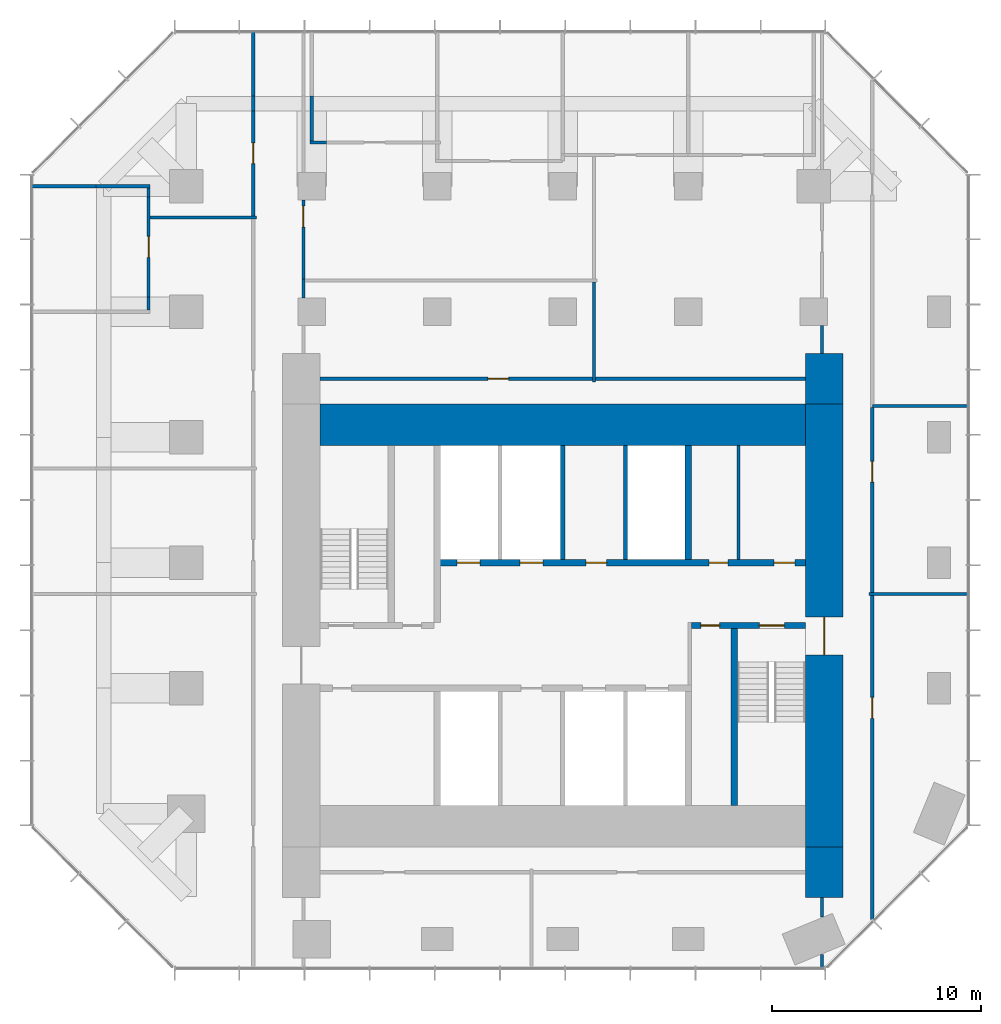
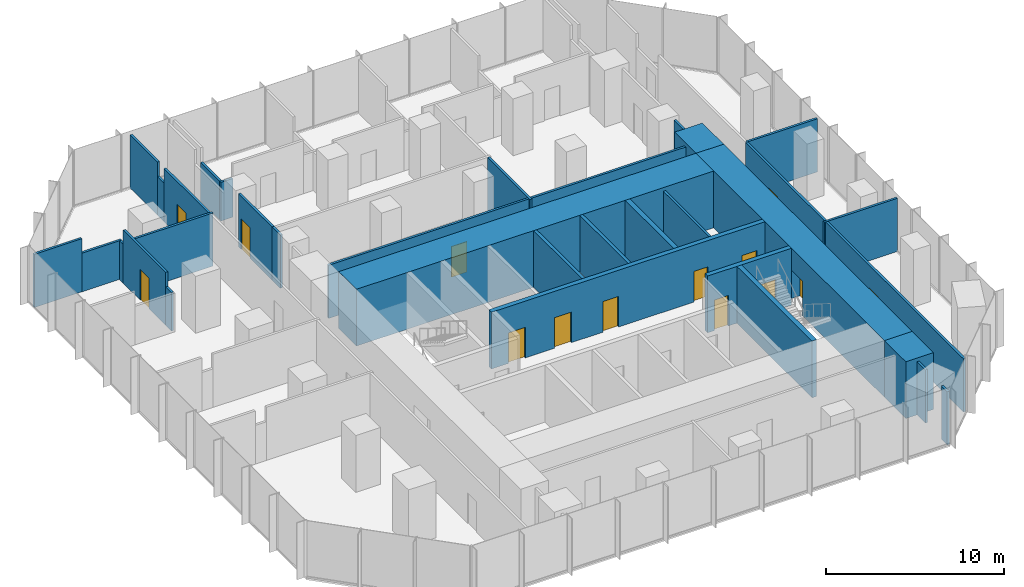
# One storey, part 9 of 11: 34 walls, 14 doors, 14 openings.
"""IFC4 building model written with IfcOpenShell, lengths in metres."""

import ifcopenshell
import ifcopenshell.guid

model = None  # the IFC model being written
_history = None  # IfcOwnerHistory: only IFC2X3 demands one
_inside = {}  # id of a spatial element -> (the spatial element, [elements in it])
_under = {}  # id of a project, library or spatial element -> (it, [spatial elements below it])
_declared = {}  # id of a project -> (the project, [libraries it declares])
_typed = {}  # id of a type object -> (the type object, [elements of that type])
_made_of = {}  # id of a material, layer set ... -> (it, [elements and type objects made of it])


def new_model(schema):
    """Start an empty IFC model of exactly this schema.

    Asked for "IFC4X3", IfcOpenShell would pick the latest addendum, in which some entities
    have other attributes; the version numbers below select the first issue.
    IFC2X3 requires an IfcOwnerHistory on every rooted entity: one is made here for all.
    """
    global model, _history
    if schema == "IFC4X3":
        model = ifcopenshell.file(schema_version=(4, 3, 0, 0))
    else:
        model = ifcopenshell.file(schema=schema)
    _inside.clear()
    _under.clear()
    _declared.clear()
    _typed.clear()
    _made_of.clear()
    _history = None
    if model.schema == "IFC2X3":
        org = make("IfcOrganization", Name="unknown")
        user = make(
            "IfcPersonAndOrganization",
            ThePerson=make("IfcPerson", FamilyName="unknown"),
            TheOrganization=org,
        )
        app = make(
            "IfcApplication",
            ApplicationDeveloper=org,
            Version="unknown",
            ApplicationFullName="unknown",
            ApplicationIdentifier="unknown",
        )
        _history = make(
            "IfcOwnerHistory",
            OwningUser=user,
            OwningApplication=app,
            ChangeAction="ADDED",
            CreationDate=0,
        )
    return model


def make(cls, **values):
    """One entity of the class cls with the attributes given. An attribute that is None is left unset."""
    return model.create_entity(
        cls, **{name: value for name, value in values.items() if value is not None}
    )


def rooted(cls, **values):
    """An entity with a GlobalId (a new one), such as an element, a storey or a relation."""
    return make(cls, GlobalId=ifcopenshell.guid.new(), OwnerHistory=_history, **values)


def si_unit(unit_type, name, prefix=None):
    """IfcSIUnit, for example si_unit("LENGTHUNIT", "METRE", prefix="MILLI")."""
    return make("IfcSIUnit", UnitType=unit_type, Prefix=prefix, Name=name)


def assignment(units):
    """IfcUnitAssignment: the units of a project."""
    return None if units is None else make("IfcUnitAssignment", Units=units)


def point(xyz):
    """IfcCartesianPoint."""
    return None if xyz is None else make("IfcCartesianPoint", Coordinates=xyz)


def direction(xyz):
    """IfcDirection."""
    return None if xyz is None else make("IfcDirection", DirectionRatios=xyz)


def frame(location, z_axis=None, x_axis=None):
    """IfcAxis2Placement3D, a coordinate frame: its origin and axes. An axis left out is left unset."""
    return make(
        "IfcAxis2Placement3D",
        Location=point(location),
        Axis=direction(z_axis),
        RefDirection=direction(x_axis),
    )


def frame_2d(location, x_axis=None):
    """IfcAxis2Placement2D, a coordinate frame in the plane: its origin and x axis."""
    return make(
        "IfcAxis2Placement2D", Location=point(location), RefDirection=direction(x_axis)
    )


def origin():
    """The frame at (0, 0, 0) with its axes left unset."""
    return frame((0.0, 0.0, 0.0))


def place(relative_to, where):
    """IfcLocalPlacement: puts the frame where relative to a parent placement (None: the world)."""
    return make(
        "IfcLocalPlacement", PlacementRelTo=relative_to, RelativePlacement=where
    )


def context(
    kind, dimensions, precision=None, world=None, true_north=None, identifier=None
):
    """IfcGeometricRepresentationContext, for example the 3D "Model" context."""
    return make(
        "IfcGeometricRepresentationContext",
        ContextIdentifier=identifier,
        ContextType=kind,
        CoordinateSpaceDimension=dimensions,
        Precision=precision,
        WorldCoordinateSystem=world,
        TrueNorth=true_north,
    )


def subcontext(parent, identifier, kind, view, scale=None):
    """IfcGeometricRepresentationSubContext, for example "Body" below "Model"."""
    return make(
        "IfcGeometricRepresentationSubContext",
        ContextIdentifier=identifier,
        ContextType=kind,
        ParentContext=parent,
        TargetScale=scale,
        TargetView=view,
    )


def project(units=None, contexts=None):
    """IfcProject with its units and contexts."""
    return rooted(
        "IfcProject",
        Name="project",
        RepresentationContexts=contexts,
        UnitsInContext=assignment(units),
    )


def spatial(cls, under=None, at=None, **own):
    """A site, building, storey or space (cls), placed at a placement, below another one or the project."""
    s = rooted(cls, ObjectPlacement=at, **own)
    if under is not None:
        _under.setdefault(under.id(), (under, []))[1].append(s)
    return s


def profile(cls, at=None, kind="AREA", **sizes):
    """A parametric profile (cls). Its sizes go by their IFC names, for example OverallWidth=200.0."""
    return make(cls, ProfileType=kind, Position=at, **sizes)


def rectangle(**sizes):
    """IfcRectangleProfileDef."""
    return profile("IfcRectangleProfileDef", **sizes)


def extrude(swept, where, along, depth):
    """IfcExtrudedAreaSolid: the profile swept, set in the frame where, extruded along a direction by depth."""
    return make(
        "IfcExtrudedAreaSolid",
        SweptArea=swept,
        Position=where,
        ExtrudedDirection=direction(along),
        Depth=depth,
    )


def shape(context_of_items, identifier, shape_type, items):
    """IfcShapeRepresentation: the items that make up one representation, for example the "Body"."""
    return make(
        "IfcShapeRepresentation",
        ContextOfItems=context_of_items,
        RepresentationIdentifier=identifier,
        RepresentationType=shape_type,
        Items=items,
    )


def material(Name=None, Category=None):
    """IfcMaterial."""
    return make("IfcMaterial", Name=Name, Category=Category)


def layer(
    of_material, thickness, ventilated=None, Name=None, Category=None, Priority=None
):
    """IfcMaterialLayer: one layer of a wall or slab, of a material (None: an air gap)."""
    return make(
        "IfcMaterialLayer",
        Material=of_material,
        LayerThickness=thickness,
        IsVentilated=ventilated,
        Name=Name,
        Category=Category,
        Priority=Priority,
    )


def layer_set(layers, Name=None):
    """IfcMaterialLayerSet."""
    return make("IfcMaterialLayerSet", MaterialLayers=layers, LayerSetName=Name)


def made_of(thing, what):
    """Note that an element or type object is made of a material, layer set ...; save() writes the relation."""
    if what is not None:
        _made_of.setdefault(what.id(), (what, []))[1].append(thing)
    return thing


def type_object(cls, material=None, **own):
    """A type object (cls), such as IfcWallType, which elements share."""
    return made_of(rooted(cls, **own), material)


def element(
    cls,
    number,
    at=None,
    inside=None,
    cuts=None,
    type_object=None,
    material=None,
    context=None,
    identifier="Body",
    shape_type=None,
    held_by="IfcProductDefinitionShape",
    body=None,
    shapes=None,
    **own,
):
    """One element of the class cls, such as IfcWall. Its Tag is "e" and its number.

    at: its placement. inside: the storey or other place that contains it. cuts: it is an
    opening in that element (IfcRelVoidsElement). A single representation is given by context,
    identifier, shape_type and body (its items); several are given by shapes. held_by: the class
    of the entity that holds the representations. save() writes the other relations.
    """
    e = rooted(cls, Tag="e%d" % number, ObjectPlacement=at, **own)
    if body is not None:
        shapes = [shape(context, identifier, shape_type, body)]
    if shapes is not None:
        e.Representation = make(held_by, Representations=shapes)
    if inside is not None:
        _inside.setdefault(inside.id(), (inside, []))[1].append(e)
    if cuts is not None:
        rooted(
            "IfcRelVoidsElement", RelatingBuildingElement=cuts, RelatedOpeningElement=e
        )
    if type_object is not None:
        _typed.setdefault(type_object.id(), (type_object, []))[1].append(e)
    return made_of(e, material)


def fill(opening, filler):
    """IfcRelFillsElement: the door or window that sits in an opening."""
    return rooted(
        "IfcRelFillsElement",
        RelatingOpeningElement=opening,
        RelatedBuildingElement=filler,
    )


def aggregate(whole, parts):
    """IfcRelAggregates: a whole, such as a stair, and the parts it consists of."""
    return rooted("IfcRelAggregates", RelatingObject=whole, RelatedObjects=parts)


def save(model, path):
    """Write the relations noted so far, then the file.

    IfcRelAggregates (storeys below a building ...), IfcRelContainedInSpatialStructure (elements
    in a storey), IfcRelDefinesByType, IfcRelAssociatesMaterial and IfcRelDeclares: one each for
    every whole, place, type object, material and project.
    """
    for whole, parts in _under.values():
        aggregate(whole, parts)
    for where, things in _inside.values():
        rooted(
            "IfcRelContainedInSpatialStructure",
            RelatedElements=things,
            RelatingStructure=where,
        )
    for kind, things in _typed.values():
        rooted("IfcRelDefinesByType", RelatedObjects=things, RelatingType=kind)
    for what, things in _made_of.values():
        rooted("IfcRelAssociatesMaterial", RelatedObjects=things, RelatingMaterial=what)
    for by, libraries in _declared.values():
        rooted("IfcRelDeclares", RelatingContext=by, RelatedDefinitions=libraries)
    model.write(path)


model = new_model("IFC4")

# Units and contexts
model_context = context("Model", 3, precision=1e-05, world=origin(), true_north=direction((0.0, 1.0)))
body_context = subcontext(model_context, "Body", "Model", "MODEL_VIEW")
ifc_project = project(units=[si_unit("LENGTHUNIT", "METRE"), si_unit("AREAUNIT", "SQUARE_METRE"), si_unit("VOLUMEUNIT", "CUBIC_METRE"), si_unit("PLANEANGLEUNIT", "RADIAN"), si_unit("MASSUNIT", "GRAM", prefix="KILO")], contexts=[model_context])

# Site, building, storey
site_placement = place(None, origin())
site = spatial("IfcSite", under=ifc_project, at=site_placement, CompositionType="ELEMENT")
building_placement = place(site_placement, origin())
building = spatial("IfcBuilding", under=site, at=building_placement, Name="Highveld Stack Headquarters", CompositionType="ELEMENT")
storey_placement = place(building_placement, frame((0.0, 0.0, 192.800048828125)))
storey = spatial("IfcBuildingStorey", under=building, at=storey_placement, Name="L47", CompositionType="ELEMENT", Elevation=192.800048828125)

# Wall, opening, door
ifc_material_1 = material(Name="Concrete C60/75", Category="concrete")
ifc_layer_1 = layer(ifc_material_1, 1.800048828125)
ifc_layer_set_1 = layer_set([ifc_layer_1], Name="Concrete C60/75")
wall_type_1 = type_object("IfcWallType", Name="CORE WALL 1800 C60/75", PredefinedType="SHEAR", material=ifc_layer_set_1)
wall_1_placement = place(storey_placement, frame((18.5, -7.60009765625, 0.0), z_axis=(0.0, 0.0, 1.0), x_axis=(0.0, 1.0, 0.0)))
wall_1 = element("IfcWall", 1, at=wall_1_placement, inside=storey, type_object=wall_type_1, Name="Core wall E L47", PredefinedType="SHEAR", context=body_context, shape_type="SweptSolid", body=[
    extrude(rectangle(XDim=21.2001953125, YDim=1.800048828125, at=frame_2d((10.60009765625, 0.0))), origin(), (0.0, 0.0, 1.0), 3.89990234375),
])
opening_1_placement = place(wall_1_placement, frame((9.199951171875, 0.0, 0.0)))
opening_1 = element("IfcOpeningElement", 2, at=opening_1_placement, cuts=wall_1, Name="Opening L47-02", PredefinedType="OPENING", context=body_context, shape_type="SweptSolid", body=[
    extrude(rectangle(XDim=1.800048828125, YDim=2.39990234375, at=frame_2d((0.89990234375, 1.199951171875))), frame((0.0, 0.909912109375, 0.0), z_axis=(0.0, -1.0, 0.0), x_axis=(1.0, 0.0, 0.0)), (0.0, 0.0, 1.0), 1.820068359375),
])
ifc_material_2 = material(Name="Steel fire door", Category="steel")
door_type_1 = type_object("IfcDoorType", Name="LOBBY FIRE DOOR D4 1800x2400", OperationType="DOUBLE_DOOR_SINGLE_SWING", PredefinedType="DOOR", material=ifc_material_2)
door_1_placement = place(opening_1_placement, origin())
door_1 = element("IfcDoor", 3, at=door_1_placement, inside=storey, type_object=door_type_1, Name="Core east door L47", OperationType="DOUBLE_DOOR_SINGLE_SWING", OverallHeight=2.39990234375, OverallWidth=1.800048828125, PredefinedType="DOOR", context=body_context, shape_type="SweptSolid", body=[
    extrude(rectangle(XDim=1.800048828125, YDim=2.39990234375, at=frame_2d((0.89990234375, 1.199951171875))), frame((0.0, 0.02490234375, 0.0), z_axis=(0.0, -1.0, 0.0), x_axis=(1.0, 0.0, 0.0)), (0.0, 0.0, 1.0), 0.050048828125),
])
fill(opening_1, door_1)

# Wall
ifc_material_3 = material(Name="Concrete C60/75", Category="concrete")
ifc_layer_2 = layer(ifc_material_3, 2.0)
ifc_layer_set_2 = layer_set([ifc_layer_2], Name="Concrete C60/75")
wall_type_2 = type_object("IfcWallType", Name="CORE WALL 2000 C60/75", PredefinedType="SHEAR", material=ifc_layer_set_2)
wall_2_placement = place(storey_placement, frame((-5.60009765625, 12.60009765625, 0.0), z_axis=(0.0, 0.0, 1.0), x_axis=(1.0, 0.0, 0.0)))
element("IfcWall", 4, at=wall_2_placement, inside=storey, type_object=wall_type_2, Name="Core wall N L47", PredefinedType="SHEAR", context=body_context, shape_type="SweptSolid", body=[
    extrude(rectangle(XDim=23.2001953125, YDim=2.0, at=frame_2d((11.60009765625, 0.0))), origin(), (0.0, 0.0, 1.0), 3.89990234375),
])

# Wall, openings, doors
ifc_material_4 = material(Name="Concrete C60/75", Category="concrete")
ifc_layer_3 = layer(ifc_material_4, 0.300048828125)
ifc_layer_set_3 = layer_set([ifc_layer_3], Name="Concrete C60/75")
wall_type_3 = type_object("IfcWallType", Name="CORE WALL 300 C60/75", PredefinedType="SHEAR", material=ifc_layer_set_3)
wall_3_placement = place(storey_placement, frame((12.14990234375, 3.0, 0.0), z_axis=(0.0, 0.0, 1.0), x_axis=(1.0, 0.0, 0.0)))
wall_3 = element("IfcWall", 5, at=wall_3_placement, inside=storey, type_object=wall_type_3, Name="Core wall I-Y3E L47", PredefinedType="SHEAR", context=body_context, shape_type="SweptSolid", body=[
    extrude(rectangle(XDim=5.4501953125, YDim=0.300048828125, at=frame_2d((2.72509765625, 0.0))), origin(), (0.0, 0.0, 1.0), 3.89990234375),
])
opening_2_placement = place(wall_3_placement, frame((3.25, 0.0, 0.0)))
opening_2 = element("IfcOpeningElement", 6, at=opening_2_placement, cuts=wall_3, Name="Opening L47-05", PredefinedType="OPENING", context=body_context, shape_type="SweptSolid", body=[
    extrude(rectangle(XDim=1.199951171875, YDim=2.10009765625, at=frame_2d((0.60009765625, 1.050048828125))), frame((0.0, 0.159912109375, 0.0), z_axis=(0.0, -1.0, 0.0), x_axis=(1.0, 0.0, 0.0)), (0.0, 0.0, 1.0), 0.320068359375),
])
opening_3_placement = place(wall_3_placement, frame((0.449951171875, 0.0, 0.0)))
opening_3 = element("IfcOpeningElement", 7, at=opening_3_placement, cuts=wall_3, Name="Opening L47-06", PredefinedType="OPENING", context=body_context, shape_type="SweptSolid", body=[
    extrude(rectangle(XDim=0.89990234375, YDim=2.10009765625, at=frame_2d((0.449951171875, 1.050048828125))), frame((0.0, 0.159912109375, 0.0), z_axis=(0.0, -1.0, 0.0), x_axis=(1.0, 0.0, 0.0)), (0.0, 0.0, 1.0), 0.320068359375),
])
ifc_material_5 = material(Name="Steel fire door", Category="steel")
door_type_2 = type_object("IfcDoorType", Name="RISER ACCESS DOOR D5 900x2100", OperationType="SINGLE_SWING_LEFT", PredefinedType="DOOR", material=ifc_material_5)
door_2_placement = place(opening_3_placement, origin())
door_2 = element("IfcDoor", 8, at=door_2_placement, inside=storey, type_object=door_type_2, Name="Riser R2 door L47", OperationType="SINGLE_SWING_LEFT", OverallHeight=2.10009765625, OverallWidth=0.89990234375, PredefinedType="DOOR", context=body_context, shape_type="SweptSolid", body=[
    extrude(rectangle(XDim=0.89990234375, YDim=2.10009765625, at=frame_2d((0.449951171875, 1.050048828125))), frame((0.0, 0.02490234375, 0.0), z_axis=(0.0, -1.0, 0.0), x_axis=(1.0, 0.0, 0.0)), (0.0, 0.0, 1.0), 0.050048828125),
])
fill(opening_3, door_2)
ifc_material_6 = material(Name="Steel fire door", Category="steel")
door_type_3 = type_object("IfcDoorType", Name="STAIR FIRE DOOR D3 1200x2100", OperationType="SINGLE_SWING_LEFT", PredefinedType="DOOR", material=ifc_material_6)
door_3_placement = place(opening_2_placement, origin())
door_3 = element("IfcDoor", 9, at=door_3_placement, inside=storey, type_object=door_type_3, Name="Stair S2 door L47", OperationType="SINGLE_SWING_RIGHT", OverallHeight=2.10009765625, OverallWidth=1.199951171875, PredefinedType="DOOR", context=body_context, shape_type="SweptSolid", body=[
    extrude(rectangle(XDim=1.199951171875, YDim=2.10009765625, at=frame_2d((0.60009765625, 1.050048828125))), frame((0.0, 0.02490234375, 0.0), z_axis=(0.0, -1.0, 0.0), x_axis=(1.0, 0.0, 0.0)), (0.0, 0.0, 1.0), 0.050048828125),
])
fill(opening_2, door_3)

wall_4_placement = place(storey_placement, frame((-0.14990234375, 6.0, 0.0), z_axis=(0.0, 0.0, 1.0), x_axis=(1.0, 0.0, 0.0)))
wall_4 = element("IfcWall", 10, at=wall_4_placement, inside=storey, type_object=wall_type_3, Name="Core wall I-Y6 L47", PredefinedType="SHEAR", context=body_context, shape_type="SweptSolid", body=[
    extrude(rectangle(XDim=17.75, YDim=0.300048828125, at=frame_2d((8.875, 0.0))), origin(), (0.0, 0.0, 1.0), 3.89990234375),
])
opening_4_placement = place(wall_4_placement, frame((13.14990234375, 0.0, 0.0)))
opening_4 = element("IfcOpeningElement", 11, at=opening_4_placement, cuts=wall_4, Name="Opening L47-08", PredefinedType="OPENING", context=body_context, shape_type="SweptSolid", body=[
    extrude(rectangle(XDim=0.89990234375, YDim=2.10009765625, at=frame_2d((0.449951171875, 1.050048828125))), frame((0.0, 0.159912109375, 0.0), z_axis=(0.0, -1.0, 0.0), x_axis=(1.0, 0.0, 0.0)), (0.0, 0.0, 1.0), 0.320068359375),
])
opening_5_placement = place(wall_4_placement, frame((16.25, 0.0, 0.0)))
opening_5 = element("IfcOpeningElement", 12, at=opening_5_placement, cuts=wall_4, Name="Opening L47-09", PredefinedType="OPENING", context=body_context, shape_type="SweptSolid", body=[
    extrude(rectangle(XDim=1.0, YDim=2.10009765625, at=frame_2d((0.5, 1.050048828125))), frame((0.0, 0.159912109375, 0.0), z_axis=(0.0, -1.0, 0.0), x_axis=(1.0, 0.0, 0.0)), (0.0, 0.0, 1.0), 0.320068359375),
])
opening_6_placement = place(wall_4_placement, frame((7.25, 0.0, 0.0)))
opening_6 = element("IfcOpeningElement", 13, at=opening_6_placement, cuts=wall_4, Name="Opening L47-10", PredefinedType="OPENING", context=body_context, shape_type="SweptSolid", body=[
    extrude(rectangle(XDim=1.0, YDim=2.10009765625, at=frame_2d((0.5, 1.050048828125))), frame((0.0, 0.159912109375, 0.0), z_axis=(0.0, -1.0, 0.0), x_axis=(1.0, 0.0, 0.0)), (0.0, 0.0, 1.0), 0.320068359375),
])
opening_7_placement = place(wall_4_placement, frame((1.10009765625, 0.0, 0.0)))
opening_7 = element("IfcOpeningElement", 14, at=opening_7_placement, cuts=wall_4, Name="Opening LD", PredefinedType="OPENING", context=body_context, shape_type="SweptSolid", body=[
    extrude(rectangle(XDim=1.10009765625, YDim=2.10009765625, at=frame_2d((0.550048828125, 1.050048828125))), frame((0.0, 0.159912109375, 0.0), z_axis=(0.0, -1.0, 0.0), x_axis=(1.0, 0.0, 0.0)), (0.0, 0.0, 1.0), 0.320068359375),
])
opening_8_placement = place(wall_4_placement, frame((4.10009765625, 0.0, 0.0)))
opening_8 = element("IfcOpeningElement", 15, at=opening_8_placement, cuts=wall_4, Name="Opening LD", PredefinedType="OPENING", context=body_context, shape_type="SweptSolid", body=[
    extrude(rectangle(XDim=1.10009765625, YDim=2.10009765625, at=frame_2d((0.550048828125, 1.050048828125))), frame((0.0, 0.159912109375, 0.0), z_axis=(0.0, -1.0, 0.0), x_axis=(1.0, 0.0, 0.0)), (0.0, 0.0, 1.0), 0.320068359375),
])
ifc_material_7 = material(Name="Timber door, painted", Category="wood")
door_type_4 = type_object("IfcDoorType", Name="ACCESSIBLE WC DOOR D2 1000x2100", OperationType="SINGLE_SWING_RIGHT", PredefinedType="DOOR", material=ifc_material_7)
door_4_placement = place(opening_5_placement, origin())
door_4 = element("IfcDoor", 16, at=door_4_placement, inside=storey, type_object=door_type_4, Name="Accessible WC door L47", OperationType="SINGLE_SWING_RIGHT", OverallHeight=2.10009765625, OverallWidth=1.0, PredefinedType="DOOR", context=body_context, shape_type="SweptSolid", body=[
    extrude(rectangle(XDim=1.0, YDim=2.10009765625, at=frame_2d((0.5, 1.050048828125))), frame((0.0, 0.02490234375, 0.0), z_axis=(0.0, -1.0, 0.0), x_axis=(1.0, 0.0, 0.0)), (0.0, 0.0, 1.0), 0.050048828125),
])
fill(opening_5, door_4)
ifc_material_8 = material(Name="Steel fire door", Category="steel")
door_type_5 = type_object("IfcDoorType", Name="CORE ROOM FIRE DOOR D14 1000x2100", OperationType="SINGLE_SWING_LEFT", PredefinedType="DOOR", material=ifc_material_8)
door_5_placement = place(opening_6_placement, origin())
door_5 = element("IfcDoor", 17, at=door_5_placement, inside=storey, type_object=door_type_5, Name="Capped A 1 door L47", OperationType="SINGLE_SWING_LEFT", OverallHeight=2.10009765625, OverallWidth=1.0, PredefinedType="DOOR", context=body_context, shape_type="SweptSolid", body=[
    extrude(rectangle(XDim=1.0, YDim=2.10009765625, at=frame_2d((0.5, 1.050048828125))), frame((0.0, 0.02490234375, 0.0), z_axis=(0.0, -1.0, 0.0), x_axis=(1.0, 0.0, 0.0)), (0.0, 0.0, 1.0), 0.050048828125),
])
fill(opening_6, door_5)
ifc_material_9 = material(Name="Stainless steel lift landing door", Category="steel")
door_type_6 = type_object("IfcDoorType", Name="LIFT LANDING DOOR LD 1100x2100", OperationType="DOUBLE_DOOR_SLIDING", PredefinedType="USERDEFINED", material=ifc_material_9)
door_6_placement = place(opening_7_placement, origin())
door_6 = element("IfcDoor", 18, at=door_6_placement, inside=storey, type_object=door_type_6, Name="Lift landing door FF1 L47", ObjectType="LIFT LANDING DOOR", OperationType="DOUBLE_DOOR_SLIDING", OverallHeight=2.10009765625, OverallWidth=1.10009765625, PredefinedType="USERDEFINED", context=body_context, shape_type="SweptSolid", body=[
    extrude(rectangle(XDim=1.10009765625, YDim=2.10009765625, at=frame_2d((0.550048828125, 1.050048828125))), frame((0.0, 0.02490234375, 0.0), z_axis=(0.0, -1.0, 0.0), x_axis=(1.0, 0.0, 0.0)), (0.0, 0.0, 1.0), 0.050048828125),
])
fill(opening_7, door_6)
door_7_placement = place(opening_8_placement, origin())
door_7 = element("IfcDoor", 19, at=door_7_placement, inside=storey, type_object=door_type_6, Name="Lift landing door FF2 L47", ObjectType="LIFT LANDING DOOR", OperationType="DOUBLE_DOOR_SLIDING", OverallHeight=2.10009765625, OverallWidth=1.10009765625, PredefinedType="USERDEFINED", context=body_context, shape_type="SweptSolid", body=[
    extrude(rectangle(XDim=1.10009765625, YDim=2.10009765625, at=frame_2d((0.550048828125, 1.050048828125))), frame((0.0, 0.02490234375, 0.0), z_axis=(0.0, -1.0, 0.0), x_axis=(1.0, 0.0, 0.0)), (0.0, 0.0, 1.0), 0.050048828125),
])
fill(opening_8, door_7)
ifc_material_10 = material(Name="Timber door, painted", Category="wood")
door_type_7 = type_object("IfcDoorType", Name="WC DOOR D1 900x2100", OperationType="SINGLE_SWING_LEFT", PredefinedType="DOOR", material=ifc_material_10)
door_8_placement = place(opening_4_placement, origin())
door_8 = element("IfcDoor", 20, at=door_8_placement, inside=storey, type_object=door_type_7, Name="Male WC door L47", OperationType="SINGLE_SWING_RIGHT", OverallHeight=2.10009765625, OverallWidth=0.89990234375, PredefinedType="DOOR", context=body_context, shape_type="SweptSolid", body=[
    extrude(rectangle(XDim=0.89990234375, YDim=2.10009765625, at=frame_2d((0.449951171875, 1.050048828125))), frame((0.0, 0.02490234375, 0.0), z_axis=(0.0, -1.0, 0.0), x_axis=(1.0, 0.0, 0.0)), (0.0, 0.0, 1.0), 0.050048828125),
])
fill(opening_4, door_8)

# Walls
wall_5_placement = place(storey_placement, frame((12.0, 6.14990234375, 0.0), z_axis=(0.0, 0.0, 1.0), x_axis=(0.0, 1.0, 0.0)))
element("IfcWall", 21, at=wall_5_placement, inside=storey, type_object=wall_type_3, Name="Core wall I-X12N L47", PredefinedType="SHEAR", context=body_context, shape_type="SweptSolid", body=[
    extrude(rectangle(XDim=5.4501953125, YDim=0.300048828125, at=frame_2d((2.72509765625, 0.0))), origin(), (0.0, 0.0, 1.0), 3.89990234375),
])
wall_6_placement = place(storey_placement, frame((14.199951171875, -5.60009765625, 0.0), z_axis=(0.0, 0.0, 1.0), x_axis=(0.0, 1.0, 0.0)))
element("IfcWall", 22, at=wall_6_placement, inside=storey, type_object=wall_type_3, Name="Core wall I-RE L47", PredefinedType="SHEAR", context=body_context, shape_type="SweptSolid", body=[
    extrude(rectangle(XDim=8.4501953125, YDim=0.300048828125, at=frame_2d((4.22509765625, 0.0))), origin(), (0.0, 0.0, 1.0), 3.89990234375),
])
ifc_material_11 = material(Name="Concrete C60/75", Category="concrete")
ifc_layer_4 = layer(ifc_material_11, 1.800048828125)
ifc_layer_set_4 = layer_set([ifc_layer_4], Name="Concrete C60/75")
wall_type_4 = type_object("IfcWallType", Name="CORE WING WALL 1800 C60/75", PredefinedType="SHEAR", material=ifc_layer_set_4)
for number, where, z_axis, x_axis, name in (
    (23, (18.5, -10.0, 0.0), (0.0, 0.0, 1.0), (0.0, 1.0, 0.0), "Core wing wall ES L47"),
    (24, (18.5, 13.60009765625, 0.0), (0.0, 0.0, 1.0), (0.0, 1.0, 0.0), "Core wing wall EN L47"),
):
    element("IfcWall", number, at=place(storey_placement, frame(where, z_axis=z_axis, x_axis=x_axis)), inside=storey, type_object=wall_type_4, Name=name, PredefinedType="SHEAR", context=body_context, shape_type="SweptSolid", body=[
        extrude(rectangle(XDim=2.39990234375, YDim=1.800048828125, at=frame_2d((1.199951171875, 0.0))), origin(), (0.0, 0.0, 1.0), 3.89990234375),
    ])
ifc_material_12 = material(Name="Concrete blockwork, fair-faced", Category="masonry")
ifc_layer_5 = layer(ifc_material_12, 0.199951171875)
ifc_layer_set_5 = layer_set([ifc_layer_5], Name="Concrete blockwork, fair-faced")
wall_type_5 = type_object("IfcWallType", Name="LIFT SHAFT ENCLOSURE WALL 200 BLOCKWORK", PredefinedType="SOLIDWALL", material=ifc_layer_set_5)
for number, where, z_axis, x_axis, name in (
    (25, (6.0, 6.14990234375, 0.0), (0.0, 0.0, 1.0), (0.0, 1.0, 0.0), "Lift shaft wall L47"),
    (26, (9.0, 6.14990234375, 0.0), (0.0, 0.0, 1.0), (0.0, 1.0, 0.0), "Lift shaft wall L47"),
):
    element("IfcWall", number, at=place(storey_placement, frame(where, z_axis=z_axis, x_axis=x_axis)), inside=storey, type_object=wall_type_5, Name=name, PredefinedType="SOLIDWALL", context=body_context, shape_type="SweptSolid", body=[
        extrude(rectangle(XDim=5.4501953125, YDim=0.199951171875, at=frame_2d((2.72509765625, 0.0))), origin(), (0.0, 0.0, 1.0), 3.89990234375),
    ])
ifc_material_13 = material(Name="Gypsum plasterboard on steel studs", Category="steel")
ifc_layer_6 = layer(ifc_material_13, 0.14990234375)
ifc_layer_set_6 = layer_set([ifc_layer_6], Name="Gypsum plasterboard on steel studs")
wall_type_6 = type_object("IfcWallType", Name="PARTITION 150 PLASTERBOARD", PredefinedType="PARTITIONING", material=ifc_layer_set_6)
wall_7_placement = place(storey_placement, frame((-19.39990234375, 24.0, 0.0), z_axis=(0.0, 0.0, 1.0), x_axis=(1.0, 0.0, 0.0)))
element("IfcWall", 27, at=wall_7_placement, inside=storey, type_object=wall_type_6, Name="Partition Print room L47", PredefinedType="PARTITIONING", context=body_context, shape_type="SweptSolid", body=[
    extrude(rectangle(XDim=3.08984375, YDim=0.14990234375, at=frame_2d((1.544921875, 0.0))), origin(), (0.0, 0.0, 1.0), 3.64990234375),
])
wall_8_placement = place(storey_placement, frame((-16.31005859375, 24.0, 0.0), z_axis=(0.0, 0.0, 1.0), x_axis=(1.0, 0.0, 0.0)))
element("IfcWall", 28, at=wall_8_placement, inside=storey, type_object=wall_type_6, Name="Partition Print room L47", PredefinedType="PARTITIONING", context=body_context, shape_type="SweptSolid", body=[
    extrude(rectangle(XDim=2.5849609375, YDim=0.14990234375, at=frame_2d((1.29248046875, 0.0))), origin(), (0.0, 0.0, 1.0), 2.64990234375),
])
wall_9_placement = place(storey_placement, frame((-6.074951171875, 26.10009765625, 0.0), z_axis=(0.0, 0.0, 1.0), x_axis=(1.0, 0.0, 0.0)))
element("IfcWall", 29, at=wall_9_placement, inside=storey, type_object=wall_type_6, Name="Partition Focus room L47", PredefinedType="PARTITIONING", context=body_context, shape_type="SweptSolid", body=[
    extrude(rectangle(XDim=0.784912109375, YDim=0.14990234375, at=frame_2d((0.392578125, 0.0))), origin(), (0.0, 0.0, 1.0), 2.64990234375),
])
wall_10_placement = place(storey_placement, frame((-13.800048828125, 18.074951171875, 0.0), z_axis=(0.0, 0.0, 1.0), x_axis=(0.0, 1.0, 0.0)))
element("IfcWall", 30, at=wall_10_placement, inside=storey, type_object=wall_type_6, Name="Partition Print room L47", PredefinedType="PARTITIONING", context=body_context, shape_type="SweptSolid", body=[
    extrude(rectangle(XDim=0.635009765625, YDim=0.14990234375, at=frame_2d((0.3173828125, 0.0))), origin(), (0.0, 0.0, 1.0), 2.64990234375),
])

# Wall, opening, door
wall_11_placement = place(storey_placement, frame((-13.800048828125, 18.7099609375, 0.0), z_axis=(0.0, 0.0, 1.0), x_axis=(0.0, 1.0, 0.0)))
wall_11 = element("IfcWall", 31, at=wall_11_placement, inside=storey, type_object=wall_type_6, Name="Partition Print room L47", PredefinedType="PARTITIONING", context=body_context, shape_type="SweptSolid", body=[
    extrude(rectangle(XDim=4.780029296875, YDim=0.14990234375, at=frame_2d((2.39013671875, 0.0))), origin(), (0.0, 0.0, 1.0), 3.64990234375),
])
opening_9_placement = place(wall_11_placement, frame((1.889892578125, 0.0, 0.0)))
opening_9 = element("IfcOpeningElement", 32, at=opening_9_placement, cuts=wall_11, Name="Opening L47-12", PredefinedType="OPENING", context=body_context, shape_type="SweptSolid", body=[
    extrude(rectangle(XDim=1.0, YDim=2.10009765625, at=frame_2d((0.5, 1.050048828125))), frame((0.0, 0.0849609375, 0.0), z_axis=(0.0, -1.0, 0.0), x_axis=(1.0, 0.0, 0.0)), (0.0, 0.0, 1.0), 0.169921875),
])
ifc_material_14 = material(Name="Timber door, oiled ash", Category="wood")
door_type_8 = type_object("IfcDoorType", Name="ROOM DOOR D6 1000x2100", OperationType="SINGLE_SWING_LEFT", PredefinedType="DOOR", material=ifc_material_14)
door_9_placement = place(opening_9_placement, origin())
door_9 = element("IfcDoor", 33, at=door_9_placement, inside=storey, type_object=door_type_8, Name="Print room door 1 L47", OperationType="SINGLE_SWING_RIGHT", OverallHeight=2.10009765625, OverallWidth=1.0, PredefinedType="DOOR", context=body_context, shape_type="SweptSolid", body=[
    extrude(rectangle(XDim=1.0, YDim=2.10009765625, at=frame_2d((0.5, 1.050048828125))), frame((0.0, 0.02490234375, 0.0), z_axis=(0.0, -1.0, 0.0), x_axis=(1.0, 0.0, 0.0)), (0.0, 0.0, 1.0), 0.050048828125),
])
fill(opening_9, door_9)

# Walls
wall_12_placement = place(storey_placement, frame((-13.800048828125, 23.489990234375, 0.0), z_axis=(0.0, 0.0, 1.0), x_axis=(0.0, 1.0, 0.0)))
element("IfcWall", 34, at=wall_12_placement, inside=storey, type_object=wall_type_6, Name="Partition Print room L47", PredefinedType="PARTITIONING", context=body_context, shape_type="SweptSolid", body=[
    extrude(rectangle(XDim=0.43505859375, YDim=0.14990234375, at=frame_2d((0.217529296875, 0.0))), origin(), (0.0, 0.0, 1.0), 2.64990234375),
])
wall_13_placement = place(storey_placement, frame((-6.0, 26.175048828125, 0.0), z_axis=(0.0, 0.0, 1.0), x_axis=(0.0, 1.0, 0.0)))
element("IfcWall", 35, at=wall_13_placement, inside=storey, type_object=wall_type_6, Name="Partition Focus room L47", PredefinedType="PARTITIONING", context=body_context, shape_type="SweptSolid", body=[
    extrude(rectangle(XDim=2.135009765625, YDim=0.14990234375, at=frame_2d((1.0673828125, 0.0))), origin(), (0.0, 0.0, 1.0), 2.64990234375),
])
wall_14_placement = place(storey_placement, frame((-13.72509765625, 22.5, 0.0), z_axis=(0.0, 0.0, 1.0), x_axis=(1.0, 0.0, 0.0)))
element("IfcWall", 36, at=wall_14_placement, inside=storey, type_object=wall_type_6, Name="Partition office neighbourhood L47", PredefinedType="PARTITIONING", context=body_context, shape_type="SweptSolid", body=[
    extrude(rectangle(XDim=5.0751953125, YDim=0.14990234375, at=frame_2d((2.53759765625, 0.0))), origin(), (0.0, 0.0, 1.0), 3.64990234375),
])

# Wall, opening, door
wall_15_placement = place(storey_placement, frame((-8.800048828125, 22.574951171875, 0.0), z_axis=(0.0, 0.0, 1.0), x_axis=(0.0, 1.0, 0.0)))
wall_15 = element("IfcWall", 37, at=wall_15_placement, inside=storey, type_object=wall_type_6, Name="Partition office neighbourhood L47", PredefinedType="PARTITIONING", context=body_context, shape_type="SweptSolid", body=[
    extrude(rectangle(XDim=5.01513671875, YDim=0.14990234375, at=frame_2d((2.507568359375, 0.0))), origin(), (0.0, 0.0, 1.0), 3.64990234375),
])
opening_10_placement = place(wall_15_placement, frame((2.5048828125, 0.0, 0.0)))
opening_10 = element("IfcOpeningElement", 38, at=opening_10_placement, cuts=wall_15, Name="Opening L47-28", PredefinedType="OPENING", context=body_context, shape_type="SweptSolid", body=[
    extrude(rectangle(XDim=1.0, YDim=2.10009765625, at=frame_2d((0.5, 1.050048828125))), frame((0.0, 0.0849609375, 0.0), z_axis=(0.0, -1.0, 0.0), x_axis=(1.0, 0.0, 0.0)), (0.0, 0.0, 1.0), 0.169921875),
])
door_10_placement = place(opening_10_placement, origin())
door_10 = element("IfcDoor", 39, at=door_10_placement, inside=storey, type_object=door_type_8, Name="Office neighbourhood door L47", OperationType="SINGLE_SWING_RIGHT", OverallHeight=2.10009765625, OverallWidth=1.0, PredefinedType="DOOR", context=body_context, shape_type="SweptSolid", body=[
    extrude(rectangle(XDim=1.0, YDim=2.10009765625, at=frame_2d((0.5, 1.050048828125))), frame((0.0, 0.02490234375, 0.0), z_axis=(0.0, -1.0, 0.0), x_axis=(1.0, 0.0, 0.0)), (0.0, 0.0, 1.0), 0.050048828125),
])
fill(opening_10, door_10)

# Walls
wall_16_placement = place(storey_placement, frame((-8.800048828125, 27.590087890625, 0.0), z_axis=(0.0, 0.0, 1.0), x_axis=(0.0, 1.0, 0.0)))
element("IfcWall", 40, at=wall_16_placement, inside=storey, type_object=wall_type_6, Name="Partition office neighbourhood L47", PredefinedType="PARTITIONING", context=body_context, shape_type="SweptSolid", body=[
    extrude(rectangle(XDim=0.719970703125, YDim=0.14990234375, at=frame_2d((0.35986328125, 0.0))), origin(), (0.0, 0.0, 1.0), 2.64990234375),
])
wall_17_placement = place(storey_placement, frame((-8.800048828125, 28.31005859375, 0.0), z_axis=(0.0, 0.0, 1.0), x_axis=(0.0, 1.0, 0.0)))
element("IfcWall", 41, at=wall_17_placement, inside=storey, type_object=wall_type_6, Name="Partition office neighbourhood L47", PredefinedType="PARTITIONING", context=body_context, shape_type="SweptSolid", body=[
    extrude(rectangle(XDim=3.08984375, YDim=0.14990234375, at=frame_2d((1.544921875, 0.0))), origin(), (0.0, 0.0, 1.0), 3.64990234375),
])
wall_18_placement = place(storey_placement, frame((-6.39990234375, 18.64990234375, 0.0), z_axis=(0.0, 0.0, 1.0), x_axis=(0.0, 1.0, 0.0)))
element("IfcWall", 42, at=wall_18_placement, inside=storey, type_object=wall_type_6, Name="Partition office neighbourhood L47", PredefinedType="PARTITIONING", context=body_context, shape_type="SweptSolid", body=[
    extrude(rectangle(XDim=0.925048828125, YDim=0.14990234375, at=frame_2d((0.46240234375, 0.0))), origin(), (0.0, 0.0, 1.0), 3.64990234375),
])

# Wall, opening, door
wall_19_placement = place(storey_placement, frame((-6.39990234375, 19.5, 0.0), z_axis=(0.0, 0.0, 1.0), x_axis=(0.0, 1.0, 0.0)))
wall_19 = element("IfcWall", 43, at=wall_19_placement, inside=storey, type_object=wall_type_6, Name="Partition office neighbourhood L47", PredefinedType="PARTITIONING", context=body_context, shape_type="SweptSolid", body=[
    extrude(rectangle(XDim=3.85009765625, YDim=0.14990234375, at=frame_2d((1.925048828125, 0.0))), origin(), (0.0, 0.0, 1.0), 3.64990234375),
])
opening_11_placement = place(wall_19_placement, frame((2.550048828125, 0.0, 0.0)))
opening_11 = element("IfcOpeningElement", 44, at=opening_11_placement, cuts=wall_19, Name="Opening L47-27", PredefinedType="OPENING", context=body_context, shape_type="SweptSolid", body=[
    extrude(rectangle(XDim=1.0, YDim=2.10009765625, at=frame_2d((0.5, 1.050048828125))), frame((0.0, 0.0849609375, 0.0), z_axis=(0.0, -1.0, 0.0), x_axis=(1.0, 0.0, 0.0)), (0.0, 0.0, 1.0), 0.169921875),
])
door_11_placement = place(opening_11_placement, origin())
door_11 = element("IfcDoor", 45, at=door_11_placement, inside=storey, type_object=door_type_8, Name="Office neighbourhood door L47", OperationType="SINGLE_SWING_RIGHT", OverallHeight=2.10009765625, OverallWidth=1.0, PredefinedType="DOOR", context=body_context, shape_type="SweptSolid", body=[
    extrude(rectangle(XDim=1.0, YDim=2.10009765625, at=frame_2d((0.5, 1.050048828125))), frame((0.0, 0.02490234375, 0.0), z_axis=(0.0, -1.0, 0.0), x_axis=(1.0, 0.0, 0.0)), (0.0, 0.0, 1.0), 0.050048828125),
])
fill(opening_11, door_11)

wall_20_placement = place(storey_placement, frame((-5.60009765625, 14.800048828125, 0.0), z_axis=(0.0, 0.0, 1.0), x_axis=(1.0, 0.0, 0.0)))
wall_20 = element("IfcWall", 46, at=wall_20_placement, inside=storey, type_object=wall_type_6, Name="Partition office neighbourhood L47", PredefinedType="PARTITIONING", context=body_context, shape_type="SweptSolid", body=[
    extrude(rectangle(XDim=13.025146484375, YDim=0.14990234375, at=frame_2d((6.5126953125, 0.0))), origin(), (0.0, 0.0, 1.0), 3.64990234375),
])
opening_12_placement = place(wall_20_placement, frame((8.014892578125, 0.0, 0.0)))
opening_12 = element("IfcOpeningElement", 47, at=opening_12_placement, cuts=wall_20, Name="Opening L47-24", PredefinedType="OPENING", context=body_context, shape_type="SweptSolid", body=[
    extrude(rectangle(XDim=1.0, YDim=2.10009765625, at=frame_2d((0.5, 1.050048828125))), frame((0.0, 0.0849609375, 0.0), z_axis=(0.0, -1.0, 0.0), x_axis=(1.0, 0.0, 0.0)), (0.0, 0.0, 1.0), 0.169921875),
])
door_12_placement = place(opening_12_placement, origin())
door_12 = element("IfcDoor", 48, at=door_12_placement, inside=storey, type_object=door_type_8, Name="Office neighbourhood door L47", OperationType="SINGLE_SWING_RIGHT", OverallHeight=2.10009765625, OverallWidth=1.0, PredefinedType="DOOR", context=body_context, shape_type="SweptSolid", body=[
    extrude(rectangle(XDim=1.0, YDim=2.10009765625, at=frame_2d((0.5, 1.050048828125))), frame((0.0, 0.02490234375, 0.0), z_axis=(0.0, -1.0, 0.0), x_axis=(1.0, 0.0, 0.0)), (0.0, 0.0, 1.0), 0.050048828125),
])
fill(opening_12, door_12)

# Walls
wall_21_placement = place(storey_placement, frame((7.5, 14.64990234375, 0.0), z_axis=(0.0, 0.0, 1.0), x_axis=(0.0, 1.0, 0.0)))
element("IfcWall", 49, at=wall_21_placement, inside=storey, type_object=wall_type_6, Name="Partition office neighbourhood L47", PredefinedType="PARTITIONING", context=body_context, shape_type="SweptSolid", body=[
    extrude(rectangle(XDim=4.775146484375, YDim=0.14990234375, at=frame_2d((2.3876953125, 0.0))), origin(), (0.0, 0.0, 1.0), 3.64990234375),
])
wall_22_placement = place(storey_placement, frame((7.574951171875, 14.800048828125, 0.0), z_axis=(0.0, 0.0, 1.0), x_axis=(1.0, 0.0, 0.0)))
element("IfcWall", 50, at=wall_22_placement, inside=storey, type_object=wall_type_6, Name="Partition office neighbourhood L47", PredefinedType="PARTITIONING", context=body_context, shape_type="SweptSolid", body=[
    extrude(rectangle(XDim=10.025146484375, YDim=0.14990234375, at=frame_2d((5.0126953125, 0.0))), origin(), (0.0, 0.0, 1.0), 3.64990234375),
])
wall_23_placement = place(storey_placement, frame((18.39990234375, -13.39990234375, 0.0), z_axis=(0.0, 0.0, 1.0), x_axis=(0.0, 1.0, 0.0)))
element("IfcWall", 51, at=wall_23_placement, inside=storey, type_object=wall_type_6, Name="Partition office neighbourhood L47", PredefinedType="PARTITIONING", context=body_context, shape_type="SweptSolid", body=[
    extrude(rectangle(XDim=0.668701171875, YDim=0.14990234375, at=frame_2d((0.33447265625, 0.0))), origin(), (0.0, 0.0, 1.0), 3.64990234375),
])
wall_24_placement = place(storey_placement, frame((18.39990234375, -10.937255859375, 0.0), z_axis=(0.0, 0.0, 1.0), x_axis=(0.0, 1.0, 0.0)))
element("IfcWall", 52, at=wall_24_placement, inside=storey, type_object=wall_type_6, Name="Partition office neighbourhood L47", PredefinedType="PARTITIONING", context=body_context, shape_type="SweptSolid", body=[
    extrude(rectangle(XDim=0.937255859375, YDim=0.14990234375, at=frame_2d((0.46875, 0.0))), origin(), (0.0, 0.0, 1.0), 3.64990234375),
])
wall_25_placement = place(storey_placement, frame((18.39990234375, 16.0, 0.0), z_axis=(0.0, 0.0, 1.0), x_axis=(0.0, 1.0, 0.0)))
element("IfcWall", 53, at=wall_25_placement, inside=storey, type_object=wall_type_6, Name="Partition office neighbourhood L47", PredefinedType="PARTITIONING", context=body_context, shape_type="SweptSolid", body=[
    extrude(rectangle(XDim=1.35009765625, YDim=0.14990234375, at=frame_2d((0.675048828125, 0.0))), origin(), (0.0, 0.0, 1.0), 3.64990234375),
])

# Wall, opening, door
wall_26_placement = place(storey_placement, frame((20.800048828125, -11.06396484375, 0.0), z_axis=(0.0, 0.0, 1.0), x_axis=(0.0, 1.0, 0.0)))
wall_26 = element("IfcWall", 54, at=wall_26_placement, inside=storey, type_object=wall_type_6, Name="Partition office neighbourhood L47", PredefinedType="PARTITIONING", context=body_context, shape_type="SweptSolid", body=[
    extrude(rectangle(XDim=15.489013671875, YDim=0.14990234375, at=frame_2d((7.74462890625, 0.0))), origin(), (0.0, 0.0, 1.0), 3.64990234375),
])
opening_13_placement = place(wall_26_placement, frame((9.625, 0.0, 0.0)))
opening_13 = element("IfcOpeningElement", 55, at=opening_13_placement, cuts=wall_26, Name="Opening L47-20", PredefinedType="OPENING", context=body_context, shape_type="SweptSolid", body=[
    extrude(rectangle(XDim=1.0, YDim=2.10009765625, at=frame_2d((0.5, 1.050048828125))), frame((0.0, 0.0849609375, 0.0), z_axis=(0.0, -1.0, 0.0), x_axis=(1.0, 0.0, 0.0)), (0.0, 0.0, 1.0), 0.169921875),
])
door_13_placement = place(opening_13_placement, origin())
door_13 = element("IfcDoor", 56, at=door_13_placement, inside=storey, type_object=door_type_8, Name="Office neighbourhood door L47", OperationType="SINGLE_SWING_RIGHT", OverallHeight=2.10009765625, OverallWidth=1.0, PredefinedType="DOOR", context=body_context, shape_type="SweptSolid", body=[
    extrude(rectangle(XDim=1.0, YDim=2.10009765625, at=frame_2d((0.5, 1.050048828125))), frame((0.0, 0.02490234375, 0.0), z_axis=(0.0, -1.0, 0.0), x_axis=(1.0, 0.0, 0.0)), (0.0, 0.0, 1.0), 0.050048828125),
])
fill(opening_13, door_13)

wall_27_placement = place(storey_placement, frame((20.800048828125, 4.574951171875, 0.0), z_axis=(0.0, 0.0, 1.0), x_axis=(0.0, 1.0, 0.0)))
wall_27 = element("IfcWall", 57, at=wall_27_placement, inside=storey, type_object=wall_type_6, Name="Partition office neighbourhood L47", PredefinedType="PARTITIONING", context=body_context, shape_type="SweptSolid", body=[
    extrude(rectangle(XDim=8.85009765625, YDim=0.14990234375, at=frame_2d((4.425048828125, 0.0))), origin(), (0.0, 0.0, 1.0), 3.64990234375),
])
opening_14_placement = place(wall_27_placement, frame((5.27490234375, 0.0, 0.0)))
opening_14 = element("IfcOpeningElement", 58, at=opening_14_placement, cuts=wall_27, Name="Opening L47-22", PredefinedType="OPENING", context=body_context, shape_type="SweptSolid", body=[
    extrude(rectangle(XDim=1.0, YDim=2.10009765625, at=frame_2d((0.5, 1.050048828125))), frame((0.0, 0.0849609375, 0.0), z_axis=(0.0, -1.0, 0.0), x_axis=(1.0, 0.0, 0.0)), (0.0, 0.0, 1.0), 0.169921875),
])
door_14_placement = place(opening_14_placement, origin())
door_14 = element("IfcDoor", 59, at=door_14_placement, inside=storey, type_object=door_type_8, Name="Office neighbourhood door L47", OperationType="SINGLE_SWING_RIGHT", OverallHeight=2.10009765625, OverallWidth=1.0, PredefinedType="DOOR", context=body_context, shape_type="SweptSolid", body=[
    extrude(rectangle(XDim=1.0, YDim=2.10009765625, at=frame_2d((0.5, 1.050048828125))), frame((0.0, 0.02490234375, 0.0), z_axis=(0.0, -1.0, 0.0), x_axis=(1.0, 0.0, 0.0)), (0.0, 0.0, 1.0), 0.050048828125),
])
fill(opening_14, door_14)

# Walls
wall_28_placement = place(storey_placement, frame((20.64990234375, 4.5, 0.0), z_axis=(0.0, 0.0, 1.0), x_axis=(1.0, 0.0, 0.0)))
element("IfcWall", 60, at=wall_28_placement, inside=storey, type_object=wall_type_6, Name="Partition office neighbourhood L47", PredefinedType="PARTITIONING", context=body_context, shape_type="SweptSolid", body=[
    extrude(rectangle(XDim=4.75, YDim=0.14990234375, at=frame_2d((2.375, 0.0))), origin(), (0.0, 0.0, 1.0), 3.64990234375),
])
wall_29_placement = place(storey_placement, frame((20.800048828125, 13.5, 0.0), z_axis=(0.0, 0.0, 1.0), x_axis=(1.0, 0.0, 0.0)))
element("IfcWall", 61, at=wall_29_placement, inside=storey, type_object=wall_type_6, Name="Partition office neighbourhood L47", PredefinedType="PARTITIONING", context=body_context, shape_type="SweptSolid", body=[
    extrude(rectangle(XDim=4.599853515625, YDim=0.14990234375, at=frame_2d((2.2998046875, 0.0))), origin(), (0.0, 0.0, 1.0), 3.64990234375),
])
ifc_material_15 = material(Name="Concrete blockwork, tiled", Category="masonry")
ifc_layer_7 = layer(ifc_material_15, 0.14990234375)
ifc_layer_set_7 = layer_set([ifc_layer_7], Name="Concrete blockwork, tiled")
wall_type_7 = type_object("IfcWallType", Name="WC PARTITION 150", PredefinedType="PLUMBINGWALL", material=ifc_layer_set_7)
wall_30_placement = place(storey_placement, frame((14.39990234375, 6.14990234375, 0.0), z_axis=(0.0, 0.0, 1.0), x_axis=(0.0, 1.0, 0.0)))
element("IfcWall", 62, at=wall_30_placement, inside=storey, type_object=wall_type_7, Name="Toilet partition L47", PredefinedType="PLUMBINGWALL", context=body_context, shape_type="SweptSolid", body=[
    extrude(rectangle(XDim=5.4501953125, YDim=0.14990234375, at=frame_2d((2.72509765625, 0.0))), origin(), (0.0, 0.0, 1.0), 3.64990234375),
])

save(model, "model.ifc")
